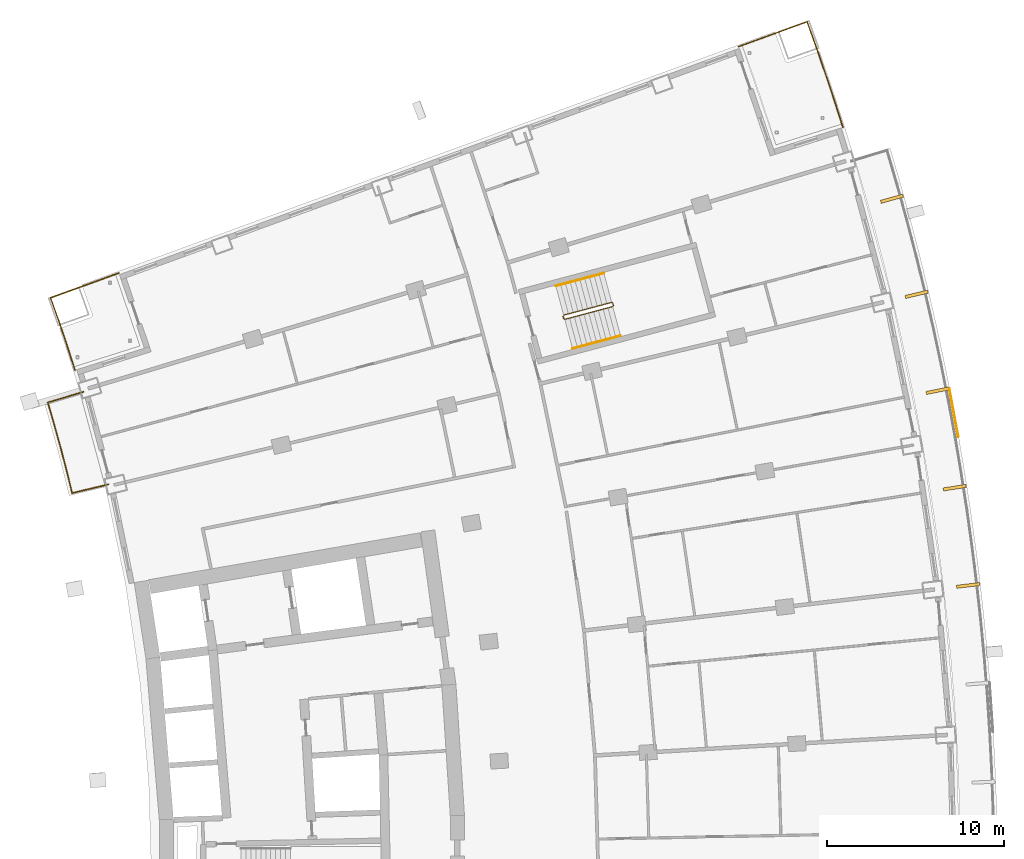
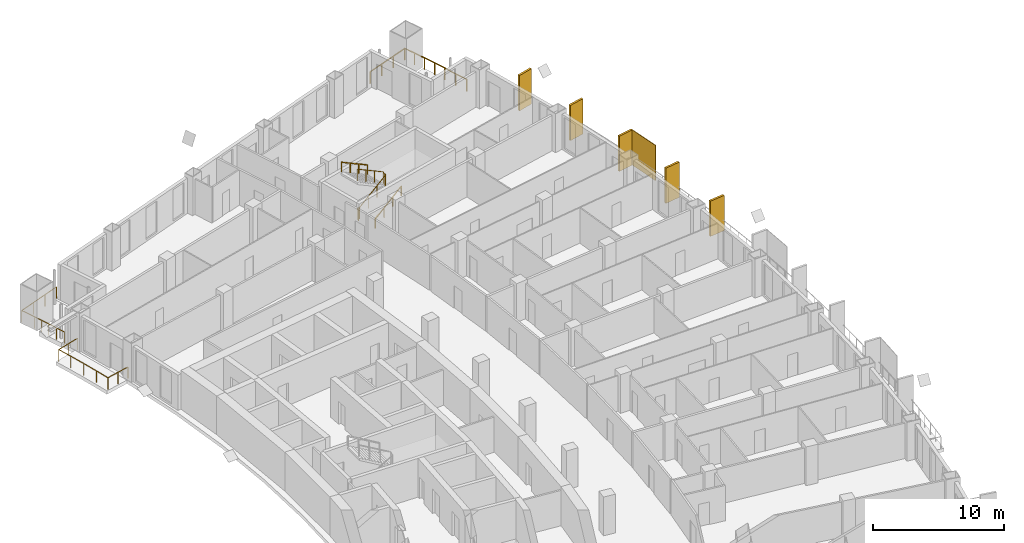
# One storey, part 25 of 25: 6 railings, 6 shading devices.
"""IFC4 building model written with IfcOpenShell, lengths in metres."""

from ifc_helpers import new_model, si_unit, direction, frame, origin, origin_2d, place, context, subcontext, project, spatial, rectangle, extrude, material, layer, layer_set, type_object, element, save


model = new_model("IFC4")

# Units and contexts
model_context = context("Model", 3, precision=1e-05, world=origin(), true_north=direction((0.0, 1.0)))
body_context = subcontext(model_context, "Body", "Model", "MODEL_VIEW")
ifc_project = project(units=[si_unit("LENGTHUNIT", "METRE"), si_unit("AREAUNIT", "SQUARE_METRE"), si_unit("VOLUMEUNIT", "CUBIC_METRE"), si_unit("PLANEANGLEUNIT", "RADIAN"), si_unit("MASSUNIT", "GRAM", prefix="KILO")], contexts=[model_context])

# Site, building, storey
site_placement = place(None, origin())
site = spatial("IfcSite", under=ifc_project, at=site_placement, CompositionType="ELEMENT")
building_placement = place(site_placement, origin())
building = spatial("IfcBuilding", under=site, at=building_placement, Name="Alderwake Tower", CompositionType="ELEMENT")
storey_placement = place(building_placement, frame((0.0, 0.0, 111.199951171875)))
storey = spatial("IfcBuildingStorey", under=building, at=storey_placement, Name="L27", CompositionType="ELEMENT", Elevation=111.199951171875)

# Railings
ifc_material_1 = material(Name="Stainless steel 316 rail and posts", Category="steel")
railing_type_1 = type_object("IfcRailingType", Name="Balcony guard 1100", PredefinedType="GUARDRAIL", material=ifc_material_1)
railing_1_placement = place(storey_placement, frame((13.5693359375, 83.343017578125, 0.0)))
element("IfcRailing", 1, at=railing_1_placement, inside=storey, type_object=railing_type_1, Name="Guard BR11", PredefinedType="GUARDRAIL", context=body_context, shape_type="SweptSolid", body=[
    extrude(rectangle(XDim=0.048095703125, YDim=0.048095703125, at=origin_2d()), frame((0.0, 0.0, 1.076171875), z_axis=(-0.972646310656, -0.232291098337, 0.0), x_axis=(0.232291098337, -0.972646310656, 0.0)), (0.0, 0.0, 1.0), 2.099853515625),
    extrude(rectangle(XDim=0.048095703125, YDim=0.048095703125, at=origin_2d()), frame((-2.04248046875, -0.48779296875, 1.076171875), z_axis=(-0.238877101641, 0.971049808358, 0.0), x_axis=(-0.971049808358, -0.238877101641, 0.0)), (0.0, 0.0, 1.0), 1.2724609375),
    extrude(rectangle(XDim=0.048095703125, YDim=0.048095703125, at=origin_2d()), frame((-2.346435546875, 0.747802734375, 1.076171875), z_axis=(-0.252487086228, 0.967600264204, 0.0), x_axis=(-0.967600264204, -0.252487086228, 0.0)), (0.0, 0.0, 1.0), 1.3720703125),
    extrude(rectangle(XDim=0.048095703125, YDim=0.048095703125, at=origin_2d()), frame((-2.69287109375, 2.075439453125, 1.076171875), z_axis=(-0.266487604617, 0.963838345671, 0.0), x_axis=(-0.963838345671, -0.266487604617, 0.0)), (0.0, 0.0, 1.0), 1.372314453125),
    extrude(rectangle(XDim=0.048095703125, YDim=0.048095703125, at=origin_2d()), frame((-3.05859375, 3.398193359375, 1.076171875), z_axis=(-0.279963157487, 0.960010744966, 0.0), x_axis=(-0.960010744966, -0.279963157487, 0.0)), (0.0, 0.0, 1.0), 1.272216796875),
    extrude(rectangle(XDim=0.048095703125, YDim=0.048095703125, at=origin_2d()), frame((-3.414794921875, 4.61962890625, 1.076171875), z_axis=(0.958091458885, 0.286462486918, 0.0), x_axis=(-0.286462486918, 0.958091458885, 0.0)), (0.0, 0.0, 1.0), 2.099853515625),
    extrude(rectangle(XDim=0.0419921875, YDim=0.0419921875, at=origin_2d()), frame((0.0, 0.0, 0.0), z_axis=(0.0, 0.0, 1.0), x_axis=(-0.972646310656, -0.232291098337, 0.0)), (0.0, 0.0, 1.0), 1.052001953125),
    extrude(rectangle(XDim=0.0419921875, YDim=0.0419921875, at=origin_2d()), frame((-1.021240234375, -0.243896484375, 0.0), z_axis=(0.0, 0.0, 1.0), x_axis=(-0.972646310656, -0.232291098337, 0.0)), (0.0, 0.0, 1.0), 1.052001953125),
    extrude(rectangle(XDim=0.0419921875, YDim=0.0419921875, at=origin_2d()), frame((-2.04248046875, -0.48779296875, 0.0), z_axis=(0.0, 0.0, 1.0), x_axis=(-0.238877101641, 0.971049808358, 0.0)), (0.0, 0.0, 1.0), 1.052001953125),
    extrude(rectangle(XDim=0.0419921875, YDim=0.0419921875, at=origin_2d()), frame((-2.346435546875, 0.747802734375, 0.0), z_axis=(0.0, 0.0, 1.0), x_axis=(-0.252487086228, 0.967600264204, 0.0)), (0.0, 0.0, 1.0), 1.052001953125),
    extrude(rectangle(XDim=0.0419921875, YDim=0.0419921875, at=origin_2d()), frame((-2.69287109375, 2.075439453125, 0.0), z_axis=(0.0, 0.0, 1.0), x_axis=(-0.266487604617, 0.963838345671, 0.0)), (0.0, 0.0, 1.0), 1.052001953125),
    extrude(rectangle(XDim=0.0419921875, YDim=0.0419921875, at=origin_2d()), frame((-3.05859375, 3.398193359375, 0.0), z_axis=(0.0, 0.0, 1.0), x_axis=(-0.279963157487, 0.960010744966, 0.0)), (0.0, 0.0, 1.0), 1.052001953125),
    extrude(rectangle(XDim=0.0419921875, YDim=0.0419921875, at=origin_2d()), frame((-3.414794921875, 4.61962890625, 0.0), z_axis=(0.0, 0.0, 1.0), x_axis=(0.958091458885, 0.286462486918, 0.0)), (0.0, 0.0, 1.0), 1.052001953125),
    extrude(rectangle(XDim=0.0419921875, YDim=0.0419921875, at=origin_2d()), frame((-2.40869140625, 4.92041015625, 0.0), z_axis=(0.0, 0.0, 1.0), x_axis=(0.958091458885, 0.286462486918, 0.0)), (0.0, 0.0, 1.0), 1.052001953125),
    extrude(rectangle(XDim=0.0419921875, YDim=0.0419921875, at=origin_2d()), frame((-1.40283203125, 5.22119140625, 0.0), z_axis=(0.0, 0.0, 1.0), x_axis=(0.958091458885, 0.286462486918, 0.0)), (0.0, 0.0, 1.0), 1.052001953125),
])
railing_2_placement = place(storey_placement, frame((54.976318359375, 103.469482421875, 0.0)))
element("IfcRailing", 2, at=railing_2_placement, inside=storey, type_object=railing_type_1, Name="Guard terrace FN", PredefinedType="GUARDRAIL", context=body_context, shape_type="SweptSolid", body=[
    extrude(rectangle(XDim=0.048095703125, YDim=0.048095703125, at=origin_2d()), frame((0.0, 0.0, 1.076171875), z_axis=(-0.307736999778, 0.951471459881, 0.0), x_axis=(-0.951471459881, -0.307736999778, 0.0)), (0.0, 0.0, 1.0), 2.263427734375),
    extrude(rectangle(XDim=0.048095703125, YDim=0.048095703125, at=origin_2d()), frame((-0.696533203125, 2.153564453125, 1.076171875), z_axis=(-0.322290868596, 0.946640690029, 0.0), x_axis=(-0.946640690029, -0.322290868596, 0.0)), (0.0, 0.0, 1.0), 2.0634765625),
    extrude(rectangle(XDim=0.048095703125, YDim=0.048095703125, at=origin_2d()), frame((-1.361572265625, 4.10693359375, 1.076171875), z_axis=(-0.335706204484, 0.941966742656, 0.0), x_axis=(-0.941966742656, -0.335706204484, 0.0)), (0.0, 0.0, 1.0), 1.963623046875),
    extrude(rectangle(XDim=0.048095703125, YDim=0.048095703125, at=origin_2d()), frame((-2.020751953125, 5.95654296875, 1.076171875), z_axis=(-0.939624669849, -0.342206779317, 0.0), x_axis=(0.342206779317, -0.939624669849, 0.0)), (0.0, 0.0, 1.0), 4.10009765625),
    extrude(rectangle(XDim=0.0419921875, YDim=0.0419921875, at=origin_2d()), frame((0.0, 0.0, 0.0), z_axis=(0.0, 0.0, 1.0), x_axis=(-0.307736999778, 0.951471459881, 0.0)), (0.0, 0.0, 1.0), 1.052001953125),
    extrude(rectangle(XDim=0.0419921875, YDim=0.0419921875, at=origin_2d()), frame((-0.34814453125, 1.07666015625, 0.0), z_axis=(0.0, 0.0, 1.0), x_axis=(-0.307736999778, 0.951471459881, 0.0)), (0.0, 0.0, 1.0), 1.052001953125),
    extrude(rectangle(XDim=0.0419921875, YDim=0.0419921875, at=origin_2d()), frame((-0.696533203125, 2.153564453125, 0.0), z_axis=(0.0, 0.0, 1.0), x_axis=(-0.322290868596, 0.946640690029, 0.0)), (0.0, 0.0, 1.0), 1.052001953125),
    extrude(rectangle(XDim=0.0419921875, YDim=0.0419921875, at=origin_2d()), frame((-1.029052734375, 3.13037109375, 0.0), z_axis=(0.0, 0.0, 1.0), x_axis=(-0.322290868596, 0.946640690029, 0.0)), (0.0, 0.0, 1.0), 1.052001953125),
    extrude(rectangle(XDim=0.0419921875, YDim=0.0419921875, at=origin_2d()), frame((-1.361572265625, 4.10693359375, 0.0), z_axis=(0.0, 0.0, 1.0), x_axis=(-0.335706204484, 0.941966742656, 0.0)), (0.0, 0.0, 1.0), 1.052001953125),
    extrude(rectangle(XDim=0.0419921875, YDim=0.0419921875, at=origin_2d()), frame((-1.691162109375, 5.03173828125, 0.0), z_axis=(0.0, 0.0, 1.0), x_axis=(-0.335706204484, 0.941966742656, 0.0)), (0.0, 0.0, 1.0), 1.052001953125),
    extrude(rectangle(XDim=0.0419921875, YDim=0.0419921875, at=origin_2d()), frame((-2.020751953125, 5.95654296875, 0.0), z_axis=(0.0, 0.0, 1.0), x_axis=(-0.939624669849, -0.342206779317, 0.0)), (0.0, 0.0, 1.0), 1.052001953125),
    extrude(rectangle(XDim=0.0419921875, YDim=0.0419921875, at=origin_2d()), frame((-3.304931640625, 5.48876953125, 0.0), z_axis=(0.0, 0.0, 1.0), x_axis=(-0.939624669849, -0.342206779317, 0.0)), (0.0, 0.0, 1.0), 1.052001953125),
    extrude(rectangle(XDim=0.0419921875, YDim=0.0419921875, at=origin_2d()), frame((-4.589111328125, 5.021240234375, 0.0), z_axis=(0.0, 0.0, 1.0), x_axis=(-0.939624669849, -0.342206779317, 0.0)), (0.0, 0.0, 1.0), 1.052001953125),
    extrude(rectangle(XDim=0.0419921875, YDim=0.0419921875, at=origin_2d()), frame((-5.873291015625, 4.553466796875, 0.0), z_axis=(0.0, 0.0, 1.0), x_axis=(-0.939624669849, -0.342206779317, 0.0)), (0.0, 0.0, 1.0), 1.052001953125),
])
railing_3_placement = place(storey_placement, frame((11.688720703125, 89.781982421875, 0.0)))
element("IfcRailing", 3, at=railing_3_placement, inside=storey, type_object=railing_type_1, Name="Guard terrace RN", PredefinedType="GUARDRAIL", context=body_context, shape_type="SweptSolid", body=[
    extrude(rectangle(XDim=0.048095703125, YDim=0.048095703125, at=origin_2d()), frame((0.0, 0.0, 1.076171875), z_axis=(-0.307479326145, 0.951554761426, 0.0), x_axis=(-0.951554761426, -0.307479326145, 0.0)), (0.0, 0.0, 1.0), 1.6015625),
    extrude(rectangle(XDim=0.048095703125, YDim=0.048095703125, at=origin_2d()), frame((-0.492431640625, 1.52392578125, 1.076171875), z_axis=(-0.322283727344, 0.946643121292, 0.0), x_axis=(-0.946643121292, -0.322283727344, 0.0)), (0.0, 0.0, 1.0), 1.4013671875),
    extrude(rectangle(XDim=0.048095703125, YDim=0.048095703125, at=origin_2d()), frame((-0.944091796875, 2.8505859375, 1.076171875), z_axis=(-0.335468607403, 0.942051385778, 0.0), x_axis=(-0.942051385778, -0.335468607403, 0.0)), (0.0, 0.0, 1.0), 1.30126953125),
    extrude(rectangle(XDim=0.048095703125, YDim=0.048095703125, at=origin_2d()), frame((-1.380615234375, 4.076416015625, 1.076171875), z_axis=(0.939708203232, 0.341977327873, 0.0), x_axis=(-0.341977327873, 0.939708203232, 0.0)), (0.0, 0.0, 1.0), 4.10009765625),
    extrude(rectangle(XDim=0.0419921875, YDim=0.0419921875, at=origin_2d()), frame((0.0, 0.0, 0.0), z_axis=(0.0, 0.0, 1.0), x_axis=(-0.307479326145, 0.951554761426, 0.0)), (0.0, 0.0, 1.0), 1.052001953125),
    extrude(rectangle(XDim=0.0419921875, YDim=0.0419921875, at=origin_2d()), frame((-0.24609375, 0.761962890625, 0.0), z_axis=(0.0, 0.0, 1.0), x_axis=(-0.307479326145, 0.951554761426, 0.0)), (0.0, 0.0, 1.0), 1.052001953125),
    extrude(rectangle(XDim=0.0419921875, YDim=0.0419921875, at=origin_2d()), frame((-0.492431640625, 1.52392578125, 0.0), z_axis=(0.0, 0.0, 1.0), x_axis=(-0.322283727344, 0.946643121292, 0.0)), (0.0, 0.0, 1.0), 1.052001953125),
    extrude(rectangle(XDim=0.0419921875, YDim=0.0419921875, at=origin_2d()), frame((-0.71826171875, 2.187255859375, 0.0), z_axis=(0.0, 0.0, 1.0), x_axis=(-0.322283727344, 0.946643121292, 0.0)), (0.0, 0.0, 1.0), 1.052001953125),
    extrude(rectangle(XDim=0.0419921875, YDim=0.0419921875, at=origin_2d()), frame((-0.944091796875, 2.8505859375, 0.0), z_axis=(0.0, 0.0, 1.0), x_axis=(-0.335468607403, 0.942051385778, 0.0)), (0.0, 0.0, 1.0), 1.052001953125),
    extrude(rectangle(XDim=0.0419921875, YDim=0.0419921875, at=origin_2d()), frame((-1.380615234375, 4.076416015625, 0.0), z_axis=(0.0, 0.0, 1.0), x_axis=(0.939708203232, 0.341977327873, 0.0)), (0.0, 0.0, 1.0), 1.052001953125),
    extrude(rectangle(XDim=0.0419921875, YDim=0.0419921875, at=origin_2d()), frame((-0.096435546875, 4.543701171875, 0.0), z_axis=(0.0, 0.0, 1.0), x_axis=(0.939708203232, 0.341977327873, 0.0)), (0.0, 0.0, 1.0), 1.052001953125),
    extrude(rectangle(XDim=0.0419921875, YDim=0.0419921875, at=origin_2d()), frame((1.18798828125, 5.01123046875, 0.0), z_axis=(0.0, 0.0, 1.0), x_axis=(0.939708203232, 0.341977327873, 0.0)), (0.0, 0.0, 1.0), 1.052001953125),
    extrude(rectangle(XDim=0.0419921875, YDim=0.0419921875, at=origin_2d()), frame((2.47216796875, 5.478515625, 0.0), z_axis=(0.0, 0.0, 1.0), x_axis=(0.939708203232, 0.341977327873, 0.0)), (0.0, 0.0, 1.0), 1.052001953125),
])

# Shading devices
ifc_material_2 = material(Name="Bronze anodised aluminium", Category="aluminium")
ifc_layer_1 = layer(ifc_material_2, 0.179931640625)
ifc_layer_set_1 = layer_set([ifc_layer_1], Name="Facade fin 1300")
shading_device_type_1 = type_object("IfcShadingDeviceType", Name="Facade fin 1300", PredefinedType="USERDEFINED", material=ifc_layer_set_1)
for number, where, z_axis, x_axis, name in (
    (4, (62.02734375, 77.650146484375, 0.0), (0.0, 0.0, 1.0), (0.993198315083, 0.116434990084, 0.0), "Fin"),
    (5, (61.2724609375, 83.1611328125, 0.0), (0.0, 0.0, 1.0), (0.987918787879, 0.154972476771, 0.0), "Fin"),
    (6, (60.306396484375, 88.62451171875, 0.0), (0.0, 0.0, 1.0), (0.981163751315, 0.193177879441, 0.0), "Fin"),
    (7, (59.1259765625, 94.06005859375, 0.0), (0.0, 0.0, 1.0), (0.972908790564, 0.231189284448, 0.0), "Fin"),
    (8, (57.735107421875, 99.44580078125, 0.0), (0.0, 0.0, 1.0), (0.96318180783, 0.268850897459, 0.0), "Fin"),
):
    element("IfcShadingDevice", number, at=place(storey_placement, frame(where, z_axis=z_axis, x_axis=x_axis)), inside=storey, type_object=shading_device_type_1, Name=name, ObjectType="FIN", PredefinedType="USERDEFINED", context=body_context, shape_type="SweptSolid", body=[
        extrude(rectangle(XDim=1.300048828125, YDim=0.179931640625, at=origin_2d()), origin(), (0.0, 0.0, 1.0), 3.280029296875),
    ])
ifc_material_3 = material(Name="Perforated bronze anodised aluminium", Category="aluminium")
ifc_layer_2 = layer(ifc_material_3, 0.050048828125)
ifc_layer_set_2 = layer_set([ifc_layer_2], Name="Perforated screen panel")
shading_device_type_2 = type_object("IfcShadingDeviceType", Name="Perforated screen panel", PredefinedType="USERDEFINED", material=ifc_layer_set_2)
shading_device_placement = place(storey_placement, frame((61.224609375, 87.385009765625, 0.0), z_axis=(0.0, 0.0, 1.0), x_axis=(0.982991488043, 0.183651121519, 0.0)))
element("IfcShadingDevice", 9, at=shading_device_placement, inside=storey, type_object=shading_device_type_2, Name="Screen panel", ObjectType="SCREEN", PredefinedType="USERDEFINED", context=body_context, shape_type="SweptSolid", body=[
    extrude(rectangle(XDim=0.050048828125, YDim=2.787353515625, at=origin_2d()), origin(), (0.0, 0.0, 1.0), 3.280029296875),
])

# Railings
ifc_material_4 = material(Name="Stainless steel guard", Category="steel")
railing_type_2 = type_object("IfcRailingType", Name="Stair guard 1100", PredefinedType="GUARDRAIL", material=ifc_material_4)
railing_4_placement = place(storey_placement, frame((39.23291015625, 92.6806640625, 0.0)))
element("IfcRailing", 10, at=railing_4_placement, inside=storey, type_object=railing_type_2, Name="L27 ST-A stair guard 1", PredefinedType="GUARDRAIL", context=body_context, shape_type="SweptSolid", body=[
    extrude(rectangle(XDim=0.048095703125, YDim=0.048095703125, at=origin_2d()), frame((0.0, 0.0, 1.076171875), z_axis=(-0.257055032184, 0.966396766566, 0.0), x_axis=(-0.966396766566, -0.257055032184, 0.0)), (0.0, 0.0, 1.0), 0.150146484375),
    extrude(rectangle(XDim=0.048095703125, YDim=0.048095703125, at=origin_2d()), frame((-0.03857421875, 0.14501953125, 1.076171875), z_axis=(0.379370725808, -0.685464465458, 0.621463047167), x_axis=(0.874937996095, 0.484234966715, 0.0)), (0.0, 0.0, 1.0), 0.26318359375),
    extrude(rectangle(XDim=0.048095703125, YDim=0.048095703125, at=origin_2d()), frame((0.061279296875, -0.035400390625, 1.23974609375), z_axis=(0.834258940753, 0.22222815314, 0.504605457487), x_axis=(-0.257402139082, 0.966304371715, 0.0)), (0.0, 0.0, 1.0), 3.2431640625),
    extrude(rectangle(XDim=0.048095703125, YDim=0.048095703125, at=origin_2d()), frame((2.766845703125, 0.685302734375, 2.8759765625), z_axis=(0.500220121494, 0.865898279276, 0.0), x_axis=(-0.865898279276, 0.500220121494, 0.0)), (0.0, 0.0, 1.0), 0.07080078125),
    extrude(rectangle(XDim=0.048095703125, YDim=0.048095703125, at=origin_2d()), frame((2.80224609375, 0.74658203125, 2.8759765625), z_axis=(-0.257459803502, 0.966289009345, 0.0), x_axis=(-0.966289009345, -0.257459803502, 0.0)), (0.0, 0.0, 1.0), 0.14990234375),
    extrude(rectangle(XDim=0.048095703125, YDim=0.048095703125, at=origin_2d()), frame((2.763671875, 0.891357421875, 2.8759765625), z_axis=(-0.34252489212, 0.200034536998, 0.917966710881), x_axis=(-0.504300490226, -0.863528236688, 0.0)), (0.0, 0.0, 1.0), 0.17822265625),
    extrude(rectangle(XDim=0.048095703125, YDim=0.048095703125, at=origin_2d()), frame((2.70263671875, 0.927001953125, 3.03955078125), z_axis=(-0.834281824786, -0.222214197128, 0.504573768072), x_axis=(0.257380452725, -0.966310148221, 0.0)), (0.0, 0.0, 1.0), 3.2431640625),
    extrude(rectangle(XDim=0.0419921875, YDim=0.0419921875, at=origin_2d()), frame((0.0, 0.0, 0.0), z_axis=(0.0, 0.0, 1.0), x_axis=(-0.257055032184, 0.966396766566, 0.0)), (0.0, 0.0, 1.0), 1.052001953125),
    extrude(rectangle(XDim=0.0419921875, YDim=0.0419921875, at=origin_2d()), frame((-0.03857421875, 0.14501953125, 0.0), z_axis=(0.0, 0.0, 1.0), x_axis=(0.484234966715, -0.874937996095, 0.0)), (0.0, 0.0, 1.0), 1.052001953125),
    extrude(rectangle(XDim=0.0419921875, YDim=0.0419921875, at=origin_2d()), frame((0.061279296875, -0.035400390625, 0.16357421875), z_axis=(0.0, 0.0, 1.0), x_axis=(0.966304371715, 0.257402139082, 0.0)), (0.0, 0.0, 1.0), 1.052001953125),
    extrude(rectangle(XDim=0.0419921875, YDim=0.0419921875, at=origin_2d()), frame((0.963134765625, 0.204833984375, 0.708984375), z_axis=(0.0, 0.0, 1.0), x_axis=(0.966304371715, 0.257402139082, 0.0)), (0.0, 0.0, 1.0), 1.052001953125),
    extrude(rectangle(XDim=0.0419921875, YDim=0.0419921875, at=origin_2d()), frame((1.864990234375, 0.445068359375, 1.254638671875), z_axis=(0.0, 0.0, 1.0), x_axis=(0.966304371715, 0.257402139082, 0.0)), (0.0, 0.0, 1.0), 1.052001953125),
    extrude(rectangle(XDim=0.0419921875, YDim=0.0419921875, at=origin_2d()), frame((2.766845703125, 0.685302734375, 1.800048828125), z_axis=(0.0, 0.0, 1.0), x_axis=(0.500220121494, 0.865898279276, 0.0)), (0.0, 0.0, 1.0), 1.052001953125),
    extrude(rectangle(XDim=0.0419921875, YDim=0.0419921875, at=origin_2d()), frame((2.80224609375, 0.74658203125, 1.800048828125), z_axis=(0.0, 0.0, 1.0), x_axis=(-0.257459803502, 0.966289009345, 0.0)), (0.0, 0.0, 1.0), 1.052001953125),
    extrude(rectangle(XDim=0.0419921875, YDim=0.0419921875, at=origin_2d()), frame((2.763671875, 0.891357421875, 1.800048828125), z_axis=(0.0, 0.0, 1.0), x_axis=(-0.863528236688, 0.504300490226, 0.0)), (0.0, 0.0, 1.0), 1.052001953125),
    extrude(rectangle(XDim=0.0419921875, YDim=0.0419921875, at=origin_2d()), frame((2.70263671875, 0.927001953125, 1.963623046875), z_axis=(0.0, 0.0, 1.0), x_axis=(-0.966310148221, -0.257380452725, 0.0)), (0.0, 0.0, 1.0), 1.052001953125),
    extrude(rectangle(XDim=0.0419921875, YDim=0.0419921875, at=origin_2d()), frame((1.80078125, 0.686767578125, 2.509033203125), z_axis=(0.0, 0.0, 1.0), x_axis=(-0.966310148221, -0.257380452725, 0.0)), (0.0, 0.0, 1.0), 1.052001953125),
    extrude(rectangle(XDim=0.0419921875, YDim=0.0419921875, at=origin_2d()), frame((0.898681640625, 0.446533203125, 3.0546875), z_axis=(0.0, 0.0, 1.0), x_axis=(-0.966310148221, -0.257380452725, 0.0)), (0.0, 0.0, 1.0), 1.052001953125),
    extrude(rectangle(XDim=0.0419921875, YDim=0.0419921875, at=origin_2d()), frame((-0.003173828125, 0.206298828125, 3.60009765625), z_axis=(0.0, 0.0, 1.0), x_axis=(-0.966310148221, -0.257380452725, 0.0)), (0.0, 0.0, 1.0), 1.052001953125),
])
ifc_material_5 = material(Name="Stainless steel handrail", Category="steel")
railing_type_3 = type_object("IfcRailingType", Name="Stair handrail 900", PredefinedType="HANDRAIL", material=ifc_material_5)
railing_5_placement = place(storey_placement, frame((39.731689453125, 91.002685546875, 0.16357421875)))
element("IfcRailing", 11, at=railing_5_placement, inside=storey, type_object=railing_type_3, Name="L27 ST-A stair handrail 1", PredefinedType="HANDRAIL", context=body_context, shape_type="SweptSolid", body=[
    extrude(rectangle(XDim=0.048095703125, YDim=0.048095703125, at=origin_2d()), frame((0.0, 0.0, 0.8759765625), z_axis=(0.834258940753, 0.22222815314, 0.504605457487), x_axis=(-0.257402139082, 0.966304371715, 0.0)), (0.0, 0.0, 1.0), 3.2431640625),
    extrude(rectangle(XDim=0.0419921875, YDim=0.0419921875, at=origin_2d()), frame((0.0, 0.0, 0.0), z_axis=(0.0, 0.0, 1.0), x_axis=(0.966304371715, 0.257402139082, 0.0)), (0.0, 0.0, 1.0), 0.851806640625),
    extrude(rectangle(XDim=0.0419921875, YDim=0.0419921875, at=origin_2d()), frame((0.90185546875, 0.240234375, 0.54541015625), z_axis=(0.0, 0.0, 1.0), x_axis=(0.966304371715, 0.257402139082, 0.0)), (0.0, 0.0, 1.0), 0.851806640625),
    extrude(rectangle(XDim=0.0419921875, YDim=0.0419921875, at=origin_2d()), frame((1.8037109375, 0.48046875, 1.091064453125), z_axis=(0.0, 0.0, 1.0), x_axis=(0.966304371715, 0.257402139082, 0.0)), (0.0, 0.0, 1.0), 0.851806640625),
    extrude(rectangle(XDim=0.0419921875, YDim=0.0419921875, at=origin_2d()), frame((2.70556640625, 0.720703125, 1.636474609375), z_axis=(0.0, 0.0, 1.0), x_axis=(0.966304371715, 0.257402139082, 0.0)), (0.0, 0.0, 1.0), 0.851806640625),
])
railing_6_placement = place(storey_placement, frame((41.497802734375, 95.250244140625, 1.963623046875)))
element("IfcRailing", 12, at=railing_6_placement, inside=storey, type_object=railing_type_3, Name="L27 ST-A stair handrail 2", PredefinedType="HANDRAIL", context=body_context, shape_type="SweptSolid", body=[
    extrude(rectangle(XDim=0.048095703125, YDim=0.048095703125, at=origin_2d()), frame((0.0, 0.0, 0.8759765625), z_axis=(-0.834258940753, -0.22222815314, 0.504605457487), x_axis=(0.257402139082, -0.966304371715, 0.0)), (0.0, 0.0, 1.0), 3.2431640625),
    extrude(rectangle(XDim=0.0419921875, YDim=0.0419921875, at=origin_2d()), frame((0.0, 0.0, 0.0), z_axis=(0.0, 0.0, 1.0), x_axis=(-0.966304371715, -0.257402139082, 0.0)), (0.0, 0.0, 1.0), 0.851806640625),
    extrude(rectangle(XDim=0.0419921875, YDim=0.0419921875, at=origin_2d()), frame((-0.90185546875, -0.240234375, 0.54541015625), z_axis=(0.0, 0.0, 1.0), x_axis=(-0.966304371715, -0.257402139082, 0.0)), (0.0, 0.0, 1.0), 0.851806640625),
    extrude(rectangle(XDim=0.0419921875, YDim=0.0419921875, at=origin_2d()), frame((-1.8037109375, -0.48046875, 1.091064453125), z_axis=(0.0, 0.0, 1.0), x_axis=(-0.966304371715, -0.257402139082, 0.0)), (0.0, 0.0, 1.0), 0.851806640625),
    extrude(rectangle(XDim=0.0419921875, YDim=0.0419921875, at=origin_2d()), frame((-2.70556640625, -0.720703125, 1.636474609375), z_axis=(0.0, 0.0, 1.0), x_axis=(-0.966304371715, -0.257402139082, 0.0)), (0.0, 0.0, 1.0), 0.851806640625),
])

save(model, "model.ifc")
